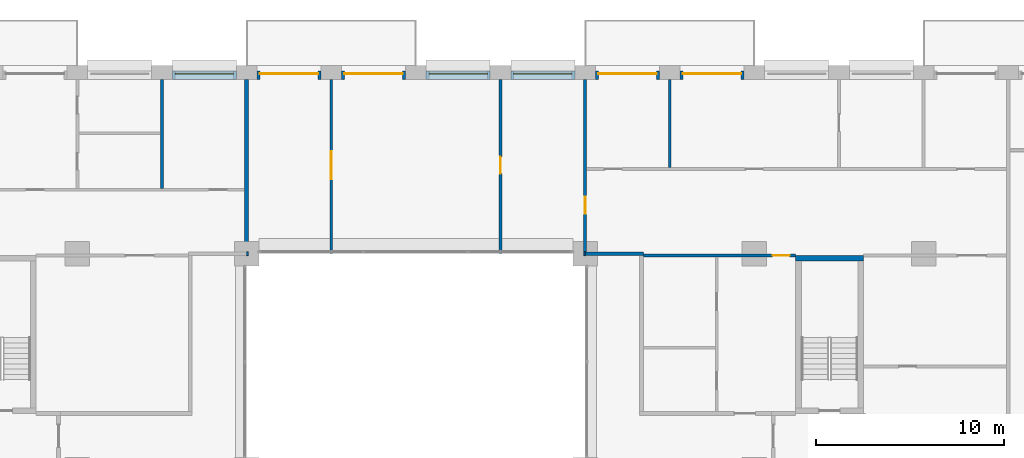
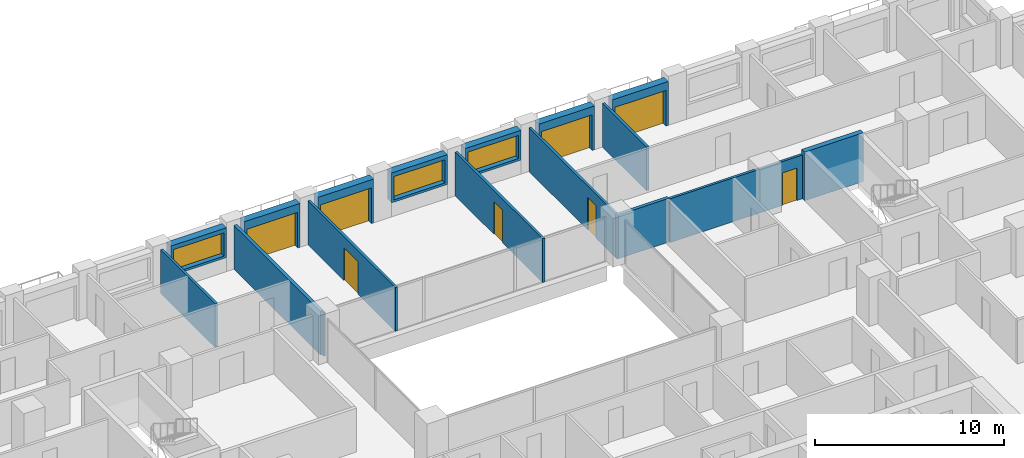
# One storey, part 13 of 16: 18 walls, 8 doors, 3 windows, 11 openings.
"""IFC4 building model written with IfcOpenShell, lengths in metres."""

from ifc_helpers import new_model, si_unit, direction, frame, frame_2d, origin, place, context, subcontext, project, spatial, rectangle, extrude, material, layer, layer_set, type_object, element, fill, save


model = new_model("IFC4")

# Units and contexts
model_context = context("Model", 3, precision=1e-05, world=origin(), true_north=direction((0.0, 1.0)))
body_context = subcontext(model_context, "Body", "Model", "MODEL_VIEW")
ifc_project = project(units=[si_unit("LENGTHUNIT", "METRE"), si_unit("AREAUNIT", "SQUARE_METRE"), si_unit("VOLUMEUNIT", "CUBIC_METRE"), si_unit("PLANEANGLEUNIT", "RADIAN"), si_unit("MASSUNIT", "GRAM", prefix="KILO")], contexts=[model_context])

# Site, building, storey
site_placement = place(None, origin())
site = spatial("IfcSite", under=ifc_project, at=site_placement, CompositionType="ELEMENT")
building_placement = place(site_placement, origin())
building = spatial("IfcBuilding", under=site, at=building_placement, Name="Brigalow Station Residences", CompositionType="ELEMENT")
storey_placement = place(building_placement, frame((0.0, 0.0, 99.300048828125)))
storey = spatial("IfcBuildingStorey", under=building, at=storey_placement, Name="L28", CompositionType="ELEMENT", Elevation=99.300048828125)

# Wall, opening, door
ifc_material_1 = material(Name="Clay brick masonry", Category="masonry")
ifc_layer_1 = layer(ifc_material_1, 0.449951171875)
ifc_layer_set_1 = layer_set([ifc_layer_1], Name="BRICK INFILL WALL 450")
wall_type_1 = type_object("IfcWallType", Name="BRICK INFILL WALL 450", PredefinedType="SOLIDWALL", material=ifc_layer_set_1)
wall_1_placement = place(storey_placement, frame((53.449951171875, 44.97509765625, 0.0), z_axis=(0.0, 0.0, 1.0), x_axis=(-1.0, 0.0, 0.0)))
wall_1 = element("IfcWall", 1, at=wall_1_placement, inside=storey, type_object=wall_type_1, Name="L28/ewall/W-L28-27", PredefinedType="SOLIDWALL", context=body_context, shape_type="SweptSolid", body=[
    extrude(rectangle(XDim=3.39990234375, YDim=0.449951171875, at=frame_2d((1.699951171875, 0.0))), origin(), (0.0, 0.0, 1.0), 2.829833984375),
])
opening_1_placement = place(wall_1_placement, frame((0.14990234375, 0.0, 0.0)))
opening_1 = element("IfcOpeningElement", 2, at=opening_1_placement, cuts=wall_1, Name="Opening D-B3100", PredefinedType="OPENING", context=body_context, shape_type="SweptSolid", body=[
    extrude(rectangle(XDim=3.10009765625, YDim=2.300048828125, at=frame_2d((1.550048828125, 1.14990234375))), frame((0.0, 0.23486328125, 0.0), z_axis=(0.0, -1.0, 0.0), x_axis=(1.0, 0.0, 0.0)), (0.0, 0.0, 1.0), 0.469970703125),
])
ifc_material_2 = material(Name="Anodised aluminium frame with double glazing", Category="aluminium")
door_type_1 = type_object("IfcDoorType", Name="BALCONY SLIDING DOOR 3100x2300", OperationType="SLIDING_TO_LEFT", PredefinedType="DOOR", material=ifc_material_2)
door_1_placement = place(opening_1_placement, origin())
door_1 = element("IfcDoor", 3, at=door_1_placement, inside=storey, type_object=door_type_1, Name="L28/balcony-door/W-L28-27", OperationType="SLIDING_TO_LEFT", OverallHeight=2.300048828125, OverallWidth=3.10009765625, PredefinedType="DOOR", context=body_context, shape_type="SweptSolid", body=[
    extrude(rectangle(XDim=3.10009765625, YDim=2.300048828125, at=frame_2d((1.550048828125, 1.14990234375))), frame((0.0, -0.06982421875, 0.0), z_axis=(0.0, -1.0, 0.0), x_axis=(1.0, 0.0, 0.0)), (0.0, 0.0, 1.0), 0.050048828125),
])
fill(opening_1, door_1)

wall_2_placement = place(storey_placement, frame((48.949951171875, 44.97509765625, 0.0), z_axis=(0.0, 0.0, 1.0), x_axis=(-1.0, 0.0, 0.0)))
wall_2 = element("IfcWall", 4, at=wall_2_placement, inside=storey, type_object=wall_type_1, Name="L28/ewall/W-L28-28", PredefinedType="SOLIDWALL", context=body_context, shape_type="SweptSolid", body=[
    extrude(rectangle(XDim=3.39990234375, YDim=0.449951171875, at=frame_2d((1.699951171875, 0.0))), origin(), (0.0, 0.0, 1.0), 2.829833984375),
])
opening_2_placement = place(wall_2_placement, frame((0.14990234375, 0.0, 0.0)))
opening_2 = element("IfcOpeningElement", 5, at=opening_2_placement, cuts=wall_2, Name="Opening D-B3100", PredefinedType="OPENING", context=body_context, shape_type="SweptSolid", body=[
    extrude(rectangle(XDim=3.10009765625, YDim=2.300048828125, at=frame_2d((1.550048828125, 1.14990234375))), frame((0.0, 0.23486328125, 0.0), z_axis=(0.0, -1.0, 0.0), x_axis=(1.0, 0.0, 0.0)), (0.0, 0.0, 1.0), 0.469970703125),
])
door_2_placement = place(opening_2_placement, origin())
door_2 = element("IfcDoor", 6, at=door_2_placement, inside=storey, type_object=door_type_1, Name="L28/balcony-door/W-L28-28", OperationType="SLIDING_TO_LEFT", OverallHeight=2.300048828125, OverallWidth=3.10009765625, PredefinedType="DOOR", context=body_context, shape_type="SweptSolid", body=[
    extrude(rectangle(XDim=3.10009765625, YDim=2.300048828125, at=frame_2d((1.550048828125, 1.14990234375))), frame((0.0, -0.06982421875, 0.0), z_axis=(0.0, -1.0, 0.0), x_axis=(1.0, 0.0, 0.0)), (0.0, 0.0, 1.0), 0.050048828125),
])
fill(opening_2, door_2)

# Wall, opening, window
wall_3_placement = place(storey_placement, frame((44.449951171875, 44.97509765625, 0.89990234375), z_axis=(0.0, 0.0, 1.0), x_axis=(-1.0, 0.0, 0.0)))
wall_3 = element("IfcWall", 7, at=wall_3_placement, inside=storey, type_object=wall_type_1, Name="L28/ewall/W-L28-29", PredefinedType="SOLIDWALL", context=body_context, shape_type="SweptSolid", body=[
    extrude(rectangle(XDim=3.39990234375, YDim=0.449951171875, at=frame_2d((1.699951171875, 0.0))), origin(), (0.0, 0.0, 1.0), 1.929931640625),
])
opening_3_placement = place(wall_3_placement, frame((0.14990234375, 0.0, 0.14990234375)))
opening_3 = element("IfcOpeningElement", 8, at=opening_3_placement, cuts=wall_3, Name="Opening WT-8", PredefinedType="OPENING", context=body_context, shape_type="SweptSolid", body=[
    extrude(rectangle(XDim=3.10009765625, YDim=1.5, at=frame_2d((1.550048828125, 0.75))), frame((0.0, 0.23486328125, 0.0), z_axis=(0.0, -1.0, 0.0), x_axis=(1.0, 0.0, 0.0)), (0.0, 0.0, 1.0), 0.469970703125),
])
ifc_material_3 = material(Name="Anodised aluminium frame with double glazing", Category="aluminium")
window_type = type_object("IfcWindowType", Name="WINDOW 3100x1500", PartitioningType="SINGLE_PANEL", PredefinedType="WINDOW", material=ifc_material_3)
window_1_placement = place(opening_3_placement, origin())
window_1 = element("IfcWindow", 9, at=window_1_placement, inside=storey, type_object=window_type, Name="L28/window/W-L28-29", OverallHeight=1.5, OverallWidth=3.10009765625, PartitioningType="SINGLE_PANEL", PredefinedType="WINDOW", context=body_context, shape_type="SweptSolid", body=[
    extrude(rectangle(XDim=3.10009765625, YDim=1.5, at=frame_2d((1.550048828125, 0.75))), frame((0.0, -0.06494140625, 0.0), z_axis=(0.0, -1.0, 0.0), x_axis=(1.0, 0.0, 0.0)), (0.0, 0.0, 1.0), 0.06005859375),
])
fill(opening_3, window_1)

wall_4_placement = place(storey_placement, frame((39.949951171875, 44.97509765625, 0.89990234375), z_axis=(0.0, 0.0, 1.0), x_axis=(-1.0, 0.0, 0.0)))
wall_4 = element("IfcWall", 10, at=wall_4_placement, inside=storey, type_object=wall_type_1, Name="L28/ewall/W-L28-30", PredefinedType="SOLIDWALL", context=body_context, shape_type="SweptSolid", body=[
    extrude(rectangle(XDim=3.39990234375, YDim=0.449951171875, at=frame_2d((1.699951171875, 0.0))), origin(), (0.0, 0.0, 1.0), 1.929931640625),
])
opening_4_placement = place(wall_4_placement, frame((0.14990234375, 0.0, 0.14990234375)))
opening_4 = element("IfcOpeningElement", 11, at=opening_4_placement, cuts=wall_4, Name="Opening WT-8", PredefinedType="OPENING", context=body_context, shape_type="SweptSolid", body=[
    extrude(rectangle(XDim=3.10009765625, YDim=1.5, at=frame_2d((1.550048828125, 0.75))), frame((0.0, 0.23486328125, 0.0), z_axis=(0.0, -1.0, 0.0), x_axis=(1.0, 0.0, 0.0)), (0.0, 0.0, 1.0), 0.469970703125),
])
window_2_placement = place(opening_4_placement, origin())
window_2 = element("IfcWindow", 12, at=window_2_placement, inside=storey, type_object=window_type, Name="L28/window/W-L28-30", OverallHeight=1.5, OverallWidth=3.10009765625, PartitioningType="SINGLE_PANEL", PredefinedType="WINDOW", context=body_context, shape_type="SweptSolid", body=[
    extrude(rectangle(XDim=3.10009765625, YDim=1.5, at=frame_2d((1.550048828125, 0.75))), frame((0.0, -0.06494140625, 0.0), z_axis=(0.0, -1.0, 0.0), x_axis=(1.0, 0.0, 0.0)), (0.0, 0.0, 1.0), 0.06005859375),
])
fill(opening_4, window_2)

# Wall, opening, door
wall_5_placement = place(storey_placement, frame((35.449951171875, 44.97509765625, 0.0), z_axis=(0.0, 0.0, 1.0), x_axis=(-1.0, 0.0, 0.0)))
wall_5 = element("IfcWall", 13, at=wall_5_placement, inside=storey, type_object=wall_type_1, Name="L28/ewall/W-L28-31", PredefinedType="SOLIDWALL", context=body_context, shape_type="SweptSolid", body=[
    extrude(rectangle(XDim=3.39990234375, YDim=0.449951171875, at=frame_2d((1.699951171875, 0.0))), origin(), (0.0, 0.0, 1.0), 2.829833984375),
])
opening_5_placement = place(wall_5_placement, frame((0.14990234375, 0.0, 0.0)))
opening_5 = element("IfcOpeningElement", 14, at=opening_5_placement, cuts=wall_5, Name="Opening D-B3100", PredefinedType="OPENING", context=body_context, shape_type="SweptSolid", body=[
    extrude(rectangle(XDim=3.10009765625, YDim=2.300048828125, at=frame_2d((1.550048828125, 1.14990234375))), frame((0.0, 0.23486328125, 0.0), z_axis=(0.0, -1.0, 0.0), x_axis=(1.0, 0.0, 0.0)), (0.0, 0.0, 1.0), 0.469970703125),
])
door_3_placement = place(opening_5_placement, origin())
door_3 = element("IfcDoor", 15, at=door_3_placement, inside=storey, type_object=door_type_1, Name="L28/balcony-door/W-L28-31", OperationType="SLIDING_TO_LEFT", OverallHeight=2.300048828125, OverallWidth=3.10009765625, PredefinedType="DOOR", context=body_context, shape_type="SweptSolid", body=[
    extrude(rectangle(XDim=3.10009765625, YDim=2.300048828125, at=frame_2d((1.550048828125, 1.14990234375))), frame((0.0, -0.06982421875, 0.0), z_axis=(0.0, -1.0, 0.0), x_axis=(1.0, 0.0, 0.0)), (0.0, 0.0, 1.0), 0.050048828125),
])
fill(opening_5, door_3)

wall_6_placement = place(storey_placement, frame((30.949951171875, 44.97509765625, 0.0), z_axis=(0.0, 0.0, 1.0), x_axis=(-1.0, 0.0, 0.0)))
wall_6 = element("IfcWall", 16, at=wall_6_placement, inside=storey, type_object=wall_type_1, Name="L28/ewall/W-L28-32", PredefinedType="SOLIDWALL", context=body_context, shape_type="SweptSolid", body=[
    extrude(rectangle(XDim=3.39990234375, YDim=0.449951171875, at=frame_2d((1.699951171875, 0.0))), origin(), (0.0, 0.0, 1.0), 2.829833984375),
])
opening_6_placement = place(wall_6_placement, frame((0.14990234375, 0.0, 0.0)))
opening_6 = element("IfcOpeningElement", 17, at=opening_6_placement, cuts=wall_6, Name="Opening D-B3100", PredefinedType="OPENING", context=body_context, shape_type="SweptSolid", body=[
    extrude(rectangle(XDim=3.10009765625, YDim=2.300048828125, at=frame_2d((1.550048828125, 1.14990234375))), frame((0.0, 0.23486328125, 0.0), z_axis=(0.0, -1.0, 0.0), x_axis=(1.0, 0.0, 0.0)), (0.0, 0.0, 1.0), 0.469970703125),
])
door_4_placement = place(opening_6_placement, origin())
door_4 = element("IfcDoor", 18, at=door_4_placement, inside=storey, type_object=door_type_1, Name="L28/balcony-door/W-L28-32", OperationType="SLIDING_TO_LEFT", OverallHeight=2.300048828125, OverallWidth=3.10009765625, PredefinedType="DOOR", context=body_context, shape_type="SweptSolid", body=[
    extrude(rectangle(XDim=3.10009765625, YDim=2.300048828125, at=frame_2d((1.550048828125, 1.14990234375))), frame((0.0, -0.06982421875, 0.0), z_axis=(0.0, -1.0, 0.0), x_axis=(1.0, 0.0, 0.0)), (0.0, 0.0, 1.0), 0.050048828125),
])
fill(opening_6, door_4)

# Wall, opening, window
wall_7_placement = place(storey_placement, frame((26.449951171875, 44.97509765625, 0.89990234375), z_axis=(0.0, 0.0, 1.0), x_axis=(-1.0, 0.0, 0.0)))
wall_7 = element("IfcWall", 19, at=wall_7_placement, inside=storey, type_object=wall_type_1, Name="L28/ewall/W-L28-33", PredefinedType="SOLIDWALL", context=body_context, shape_type="SweptSolid", body=[
    extrude(rectangle(XDim=3.39990234375, YDim=0.449951171875, at=frame_2d((1.699951171875, 0.0))), origin(), (0.0, 0.0, 1.0), 1.929931640625),
])
opening_7_placement = place(wall_7_placement, frame((0.14990234375, 0.0, 0.14990234375)))
opening_7 = element("IfcOpeningElement", 20, at=opening_7_placement, cuts=wall_7, Name="Opening WT-8", PredefinedType="OPENING", context=body_context, shape_type="SweptSolid", body=[
    extrude(rectangle(XDim=3.10009765625, YDim=1.5, at=frame_2d((1.550048828125, 0.75))), frame((0.0, 0.23486328125, 0.0), z_axis=(0.0, -1.0, 0.0), x_axis=(1.0, 0.0, 0.0)), (0.0, 0.0, 1.0), 0.469970703125),
])
window_3_placement = place(opening_7_placement, origin())
window_3 = element("IfcWindow", 21, at=window_3_placement, inside=storey, type_object=window_type, Name="L28/window/W-L28-33", OverallHeight=1.5, OverallWidth=3.10009765625, PartitioningType="SINGLE_PANEL", PredefinedType="WINDOW", context=body_context, shape_type="SweptSolid", body=[
    extrude(rectangle(XDim=3.10009765625, YDim=1.5, at=frame_2d((1.550048828125, 0.75))), frame((0.0, -0.06494140625, 0.0), z_axis=(0.0, -1.0, 0.0), x_axis=(1.0, 0.0, 0.0)), (0.0, 0.0, 1.0), 0.06005859375),
])
fill(opening_7, window_3)

# Wall
ifc_material_4 = material(Name="Concrete C65", Category="concrete")
ifc_layer_2 = layer(ifc_material_4, 0.300048828125)
ifc_layer_set_2 = layer_set([ifc_layer_2], Name="CORE SHEAR WALL 300 C65")
wall_type_2 = type_object("IfcWallType", Name="CORE SHEAR WALL 300 C65", PredefinedType="SHEAR", material=ifc_layer_set_2)
wall_8_placement = place(storey_placement, frame((56.199951171875, 35.25, 0.0), z_axis=(0.0, 0.0, 1.0), x_axis=(1.0, 0.0, 0.0)))
element("IfcWall", 22, at=wall_8_placement, inside=storey, type_object=wall_type_2, Name="CORE WALL ST-S3-N L28", PredefinedType="SHEAR", context=body_context, shape_type="SweptSolid", body=[
    extrude(rectangle(XDim=3.60009765625, YDim=0.300048828125, at=frame_2d((1.800048828125, 0.0))), origin(), (0.0, 0.0, 1.0), 3.14990234375),
])

# Wall, opening, door
ifc_material_5 = material(Name="Plasterboard on steel stud partition", Category="steel")
ifc_layer_3 = layer(ifc_material_5, 0.14990234375)
ifc_layer_set_3 = layer_set([ifc_layer_3], Name="FLAT PARTITION 150")
wall_type_3 = type_object("IfcWallType", Name="FLAT PARTITION 150", PredefinedType="PARTITIONING", material=ifc_layer_set_3)
wall_9_placement = place(storey_placement, frame((48.10009765625, 35.39990234375, 0.0), z_axis=(0.0, 0.0, 1.0), x_axis=(1.0, 0.0, 0.0)))
wall_9 = element("IfcWall", 23, at=wall_9_placement, inside=storey, type_object=wall_type_3, Name="PW-2B28", PredefinedType="PARTITIONING", context=body_context, shape_type="SweptSolid", body=[
    extrude(rectangle(XDim=8.099853515625, YDim=0.14990234375, at=frame_2d((4.0498046875, 0.0))), origin(), (0.0, 0.0, 1.0), 2.829833984375),
])
opening_8_placement = place(wall_9_placement, frame((6.875, 0.0, 0.0)))
opening_8 = element("IfcOpeningElement", 24, at=opening_8_placement, cuts=wall_9, Name="Opening D-2B23", PredefinedType="OPENING", context=body_context, shape_type="SweptSolid", body=[
    extrude(rectangle(XDim=0.89990234375, YDim=2.10009765625, at=frame_2d((0.449951171875, 1.050048828125))), frame((0.0, 0.0849609375, 0.0), z_axis=(0.0, -1.0, 0.0), x_axis=(1.0, 0.0, 0.0)), (0.0, 0.0, 1.0), 0.169921875),
])
ifc_material_6 = material(Name="Solid-core timber door leaf", Category="wood")
door_type_2 = type_object("IfcDoorType", Name="INTERNAL DOOR 900 x 2100", OperationType="SINGLE_SWING_LEFT", PredefinedType="DOOR", material=ifc_material_6)
door_5_placement = place(opening_8_placement, frame((0.89990234375, 0.0, 0.0), z_axis=(0.0, 0.0, 1.0), x_axis=(-1.0, 0.0, 0.0)))
door_5 = element("IfcDoor", 25, at=door_5_placement, inside=storey, type_object=door_type_2, Name="D-2B23", OperationType="SINGLE_SWING_LEFT", OverallHeight=2.10009765625, OverallWidth=0.89990234375, PredefinedType="DOOR", context=body_context, shape_type="SweptSolid", body=[
    extrude(rectangle(XDim=0.89990234375, YDim=2.10009765625, at=frame_2d((0.449951171875, 1.050048828125))), frame((0.0, 0.02490234375, 0.0), z_axis=(0.0, -1.0, 0.0), x_axis=(1.0, 0.0, 0.0)), (0.0, 0.0, 1.0), 0.050048828125),
])
fill(opening_8, door_5)

# Wall
wall_10_placement = place(storey_placement, frame((22.5, 38.97509765625, 0.0), z_axis=(0.0, 0.0, 1.0), x_axis=(0.0, 1.0, 0.0)))
element("IfcWall", 26, at=wall_10_placement, inside=storey, type_object=wall_type_3, Name="PW-2B52", PredefinedType="PARTITIONING", context=body_context, shape_type="SweptSolid", body=[
    extrude(rectangle(XDim=5.77490234375, YDim=0.14990234375, at=frame_2d((2.887451171875, 0.0))), origin(), (0.0, 0.0, 1.0), 2.829833984375),
])

# Wall, opening, door
wall_11_placement = place(storey_placement, frame((31.5, 35.5, 0.0), z_axis=(0.0, 0.0, 1.0), x_axis=(0.0, 1.0, 0.0)))
wall_11 = element("IfcWall", 27, at=wall_11_placement, inside=storey, type_object=wall_type_3, Name="PW-2B54", PredefinedType="PARTITIONING", context=body_context, shape_type="SweptSolid", body=[
    extrude(rectangle(XDim=9.25, YDim=0.14990234375, at=frame_2d((4.625, 0.0))), origin(), (0.0, 0.0, 1.0), 2.829833984375),
])
opening_9_placement = place(wall_11_placement, frame((3.949951171875, 0.0, 0.0)))
opening_9 = element("IfcOpeningElement", 28, at=opening_9_placement, cuts=wall_11, Name="Opening D-2B26", PredefinedType="OPENING", context=body_context, shape_type="SweptSolid", body=[
    extrude(rectangle(XDim=1.5, YDim=2.10009765625, at=frame_2d((0.75, 1.050048828125))), frame((0.0, 0.0849609375, 0.0), z_axis=(0.0, -1.0, 0.0), x_axis=(1.0, 0.0, 0.0)), (0.0, 0.0, 1.0), 0.169921875),
])
ifc_material_7 = material(Name="Solid-core timber door leaf", Category="wood")
door_type_3 = type_object("IfcDoorType", Name="INTERNAL DOUBLE DOOR 1500 x 2100", OperationType="DOUBLE_DOOR_SINGLE_SWING", PredefinedType="DOOR", material=ifc_material_7)
door_6_placement = place(opening_9_placement, origin())
door_6 = element("IfcDoor", 29, at=door_6_placement, inside=storey, type_object=door_type_3, Name="D-2B26", OperationType="DOUBLE_DOOR_SINGLE_SWING", OverallHeight=2.10009765625, OverallWidth=1.5, PredefinedType="DOOR", context=body_context, shape_type="SweptSolid", body=[
    extrude(rectangle(XDim=1.5, YDim=2.10009765625, at=frame_2d((0.75, 1.050048828125))), frame((0.0, 0.02490234375, 0.0), z_axis=(0.0, -1.0, 0.0), x_axis=(1.0, 0.0, 0.0)), (0.0, 0.0, 1.0), 0.050048828125),
])
fill(opening_9, door_6)

wall_12_placement = place(storey_placement, frame((40.5, 35.5, 0.0), z_axis=(0.0, 0.0, 1.0), x_axis=(0.0, 1.0, 0.0)))
wall_12 = element("IfcWall", 30, at=wall_12_placement, inside=storey, type_object=wall_type_3, Name="PW-2B55", PredefinedType="PARTITIONING", context=body_context, shape_type="SweptSolid", body=[
    extrude(rectangle(XDim=9.25, YDim=0.14990234375, at=frame_2d((4.625, 0.0))), origin(), (0.0, 0.0, 1.0), 2.829833984375),
])
opening_10_placement = place(wall_12_placement, frame((4.25, 0.0, 0.0)))
opening_10 = element("IfcOpeningElement", 31, at=opening_10_placement, cuts=wall_12, Name="Opening D-2B25", PredefinedType="OPENING", context=body_context, shape_type="SweptSolid", body=[
    extrude(rectangle(XDim=0.89990234375, YDim=2.10009765625, at=frame_2d((0.449951171875, 1.050048828125))), frame((0.0, 0.0849609375, 0.0), z_axis=(0.0, -1.0, 0.0), x_axis=(1.0, 0.0, 0.0)), (0.0, 0.0, 1.0), 0.169921875),
])
door_7_placement = place(opening_10_placement, frame((0.89990234375, 0.0, 0.0), z_axis=(0.0, 0.0, 1.0), x_axis=(-1.0, 0.0, 0.0)))
door_7 = element("IfcDoor", 32, at=door_7_placement, inside=storey, type_object=door_type_2, Name="D-2B25", OperationType="SINGLE_SWING_LEFT", OverallHeight=2.10009765625, OverallWidth=0.89990234375, PredefinedType="DOOR", context=body_context, shape_type="SweptSolid", body=[
    extrude(rectangle(XDim=0.89990234375, YDim=2.10009765625, at=frame_2d((0.449951171875, 1.050048828125))), frame((0.0, 0.02490234375, 0.0), z_axis=(0.0, -1.0, 0.0), x_axis=(1.0, 0.0, 0.0)), (0.0, 0.0, 1.0), 0.050048828125),
])
fill(opening_10, door_7)

wall_13_placement = place(storey_placement, frame((45.0, 35.60009765625, 0.0), z_axis=(0.0, 0.0, 1.0), x_axis=(0.0, 1.0, 0.0)))
wall_13 = element("IfcWall", 33, at=wall_13_placement, inside=storey, type_object=wall_type_3, Name="PW-2B56", PredefinedType="PARTITIONING", context=body_context, shape_type="SweptSolid", body=[
    extrude(rectangle(XDim=9.14990234375, YDim=0.14990234375, at=frame_2d((4.574951171875, 0.0))), origin(), (0.0, 0.0, 1.0), 2.829833984375),
])
opening_11_placement = place(wall_13_placement, frame((2.02490234375, 0.0, 0.0)))
opening_11 = element("IfcOpeningElement", 34, at=opening_11_placement, cuts=wall_13, Name="Opening D-2B24", PredefinedType="OPENING", context=body_context, shape_type="SweptSolid", body=[
    extrude(rectangle(XDim=0.89990234375, YDim=2.10009765625, at=frame_2d((0.449951171875, 1.050048828125))), frame((0.0, 0.0849609375, 0.0), z_axis=(0.0, -1.0, 0.0), x_axis=(1.0, 0.0, 0.0)), (0.0, 0.0, 1.0), 0.169921875),
])
door_8_placement = place(opening_11_placement, origin())
door_8 = element("IfcDoor", 35, at=door_8_placement, inside=storey, type_object=door_type_2, Name="D-2B24", OperationType="SINGLE_SWING_LEFT", OverallHeight=2.10009765625, OverallWidth=0.89990234375, PredefinedType="DOOR", context=body_context, shape_type="SweptSolid", body=[
    extrude(rectangle(XDim=0.89990234375, YDim=2.10009765625, at=frame_2d((0.449951171875, 1.050048828125))), frame((0.0, 0.02490234375, 0.0), z_axis=(0.0, -1.0, 0.0), x_axis=(1.0, 0.0, 0.0)), (0.0, 0.0, 1.0), 0.050048828125),
])
fill(opening_11, door_8)

# Walls
wall_14_placement = place(storey_placement, frame((49.5, 40.074951171875, 0.0), z_axis=(0.0, 0.0, 1.0), x_axis=(0.0, 1.0, 0.0)))
element("IfcWall", 36, at=wall_14_placement, inside=storey, type_object=wall_type_3, Name="PW-2B59", PredefinedType="PARTITIONING", context=body_context, shape_type="SweptSolid", body=[
    extrude(rectangle(XDim=4.675048828125, YDim=0.14990234375, at=frame_2d((2.33740234375, 0.0))), origin(), (0.0, 0.0, 1.0), 2.829833984375),
])
ifc_material_8 = material(Name="Plasterboard on steel stud partition", Category="steel")
ifc_layer_4 = layer(ifc_material_8, 0.199951171875)
ifc_layer_set_4 = layer_set([ifc_layer_4], Name="PARTY AND CORRIDOR WALL 200")
wall_type_4 = type_object("IfcWallType", Name="PARTY AND CORRIDOR WALL 200", PredefinedType="PARTITIONING", material=ifc_layer_set_4)
wall_15_placement = place(storey_placement, frame((27.0, 35.5, 0.0), z_axis=(0.0, 0.0, 1.0), x_axis=(1.0, 0.0, 0.0)))
element("IfcWall", 37, at=wall_15_placement, inside=storey, type_object=wall_type_4, Name="PW-2B08", PredefinedType="PARTITIONING", context=body_context, shape_type="SweptSolid", body=[
    extrude(rectangle(XDim=0.10009765625, YDim=0.199951171875, at=frame_2d((0.050048828125, 0.0))), origin(), (0.0, 0.0, 1.0), 2.829833984375),
])
wall_16_placement = place(storey_placement, frame((44.925048828125, 35.5, 0.0), z_axis=(0.0, 0.0, 1.0), x_axis=(1.0, 0.0, 0.0)))
element("IfcWall", 38, at=wall_16_placement, inside=storey, type_object=wall_type_4, Name="PW-2B09", PredefinedType="PARTITIONING", context=body_context, shape_type="SweptSolid", body=[
    extrude(rectangle(XDim=0.074951171875, YDim=0.199951171875, at=frame_2d((0.03759765625, 0.0))), origin(), (0.0, 0.0, 1.0), 2.829833984375),
])
wall_17_placement = place(storey_placement, frame((45.0, 35.5, 0.0), z_axis=(0.0, 0.0, 1.0), x_axis=(1.0, 0.0, 0.0)))
element("IfcWall", 39, at=wall_17_placement, inside=storey, type_object=wall_type_4, Name="PW-2B10", PredefinedType="PARTITIONING", context=body_context, shape_type="SweptSolid", body=[
    extrude(rectangle(XDim=3.10009765625, YDim=0.199951171875, at=frame_2d((1.550048828125, 0.0))), origin(), (0.0, 0.0, 1.0), 2.829833984375),
])
wall_18_placement = place(storey_placement, frame((27.0, 35.60009765625, 0.0), z_axis=(0.0, 0.0, 1.0), x_axis=(0.0, 1.0, 0.0)))
element("IfcWall", 40, at=wall_18_placement, inside=storey, type_object=wall_type_4, Name="PW-2B51", PredefinedType="PARTITIONING", context=body_context, shape_type="SweptSolid", body=[
    extrude(rectangle(XDim=9.14990234375, YDim=0.199951171875, at=frame_2d((4.574951171875, 0.0))), origin(), (0.0, 0.0, 1.0), 2.829833984375),
])

save(model, "model.ifc")
